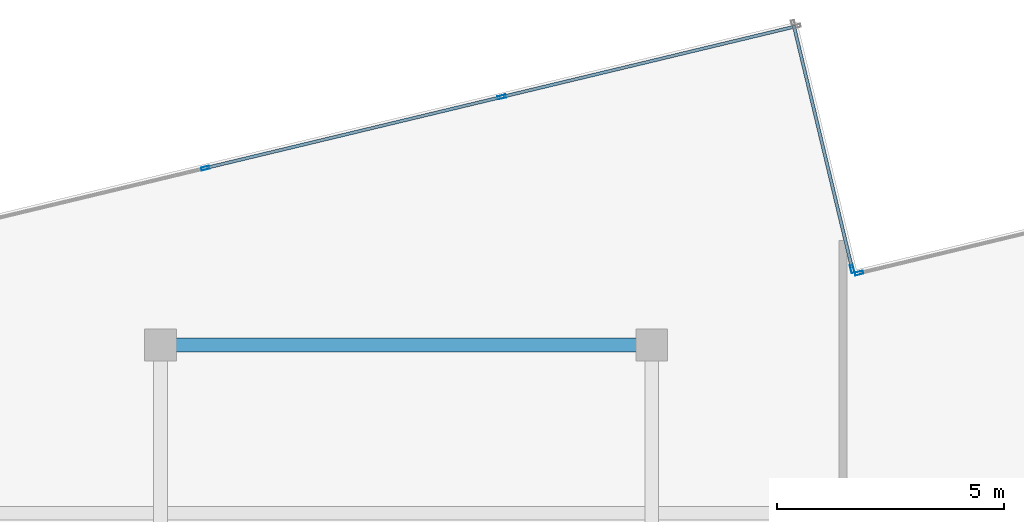
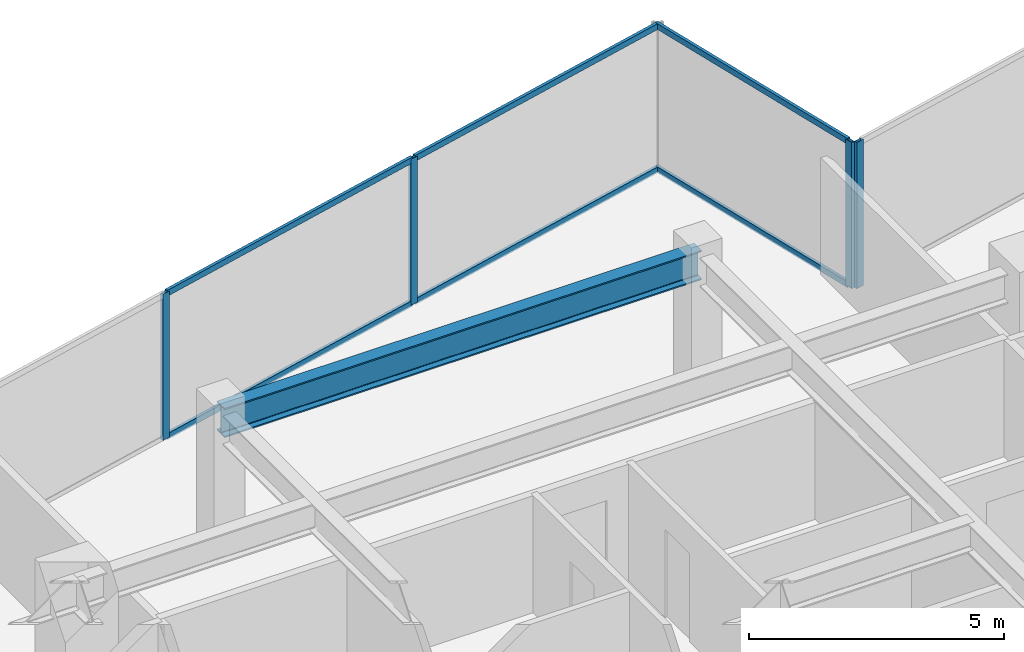
# One storey, part 14 of 19: 10 members, 1 beam, 3 elements without a shape of their own.
"""IFC4 building model written with IfcOpenShell, lengths in metres."""

from ifc_helpers import new_model, si_unit, direction, frame, origin, origin_2d, place, context, subcontext, project, spatial, hollow_rectangle, i_section, extrude, source, transform, mapped, material, material_profile, profile_set, type_object, type_shapes, element, aggregate, save


model = new_model("IFC4")

# Units and contexts
model_context = context("Model", 3, precision=1e-05, world=origin(), true_north=direction((0.0, 1.0)))
body_context = subcontext(model_context, "Body", "Model", "MODEL_VIEW")
ifc_project = project(units=[si_unit("LENGTHUNIT", "METRE"), si_unit("AREAUNIT", "SQUARE_METRE"), si_unit("VOLUMEUNIT", "CUBIC_METRE"), si_unit("PLANEANGLEUNIT", "RADIAN"), si_unit("MASSUNIT", "GRAM", prefix="KILO")], contexts=[model_context])

# Site, building, storey
site_placement = place(None, origin())
site = spatial("IfcSite", under=ifc_project, at=site_placement, CompositionType="ELEMENT")
building_placement = place(site_placement, origin())
building = spatial("IfcBuilding", under=site, at=building_placement, Name="Krantzveldt Concourse Tower", CompositionType="ELEMENT")
storey_placement = place(building_placement, frame((0.0, 0.0, 363.25)))
storey = spatial("IfcBuildingStorey", under=building, at=storey_placement, Name="L89", CompositionType="ELEMENT", Elevation=363.25)

# Beam
ifc_material_1 = material(Name="Steel S355J2", Category="steel")
ifc_material_profile_1 = material_profile(ifc_material_1, i_section(OverallWidth=0.300048828125, OverallDepth=0.699951171875, WebThickness=0.01708984375, FlangeThickness=0.031982421875, FilletRadius=0.027099609375, at=origin_2d()), Name="Steel S355J2", Category="steel")
ifc_profile_set_1 = profile_set([ifc_material_profile_1], Name="Steel S355J2 - HEB 700")
beam_type = type_object("IfcBeamType", Name="BM-B-HEB700", PredefinedType="BEAM", material=ifc_profile_set_1)
shared_shape_1 = source(origin(), body_context, "Body", "SweptSolid", [
    extrude(i_section(OverallWidth=0.300048828125, OverallDepth=0.699951171875, WebThickness=0.01708984375, FlangeThickness=0.031982421875, FilletRadius=0.027099609375, at=origin_2d()), origin(), (0.0, 0.0, 1.0), 10.7998046875),
])
type_shapes(beam_type, [shared_shape_1])
beam_placement = place(storey_placement, frame((30.60009765625, 41.199951171875, 3.14990234375), z_axis=(1.0, 0.0, 0.0), x_axis=(0.0, 1.0, 0.0)))
element("IfcBeam", 1, at=beam_placement, inside=storey, type_object=beam_type, Name="L89 Crown Girder CBG-89-RN", PredefinedType="BEAM", context=body_context, shape_type="MappedRepresentation", body=[
    mapped(shared_shape_1, transform((0.0, 0.0, 0.0), x_axis=(1.0, 0.0, 0.0), y_axis=(0.0, 1.0, 0.0), z_axis=(0.0, 0.0, 1.0), scale=1.0)),
])

# Curtain wall, members
ifc_material_2 = material(Name="Anodised aluminium 6063-T6", Category="aluminium")
curtain_wall_type = type_object("IfcCurtainWallType", Name="CW7", PredefinedType="USERDEFINED", material=ifc_material_2)
curtain_wall_1_placement = place(storey_placement, origin())
curtain_wall_1 = element("IfcCurtainWall", 2, at=curtain_wall_1_placement, inside=storey, type_object=curtain_wall_type, Name="CW-L89-BASE-01", ObjectType="UNITISED CURTAIN WALL", PredefinedType="USERDEFINED")
ifc_material_profile_2 = material_profile(ifc_material_2, hollow_rectangle(XDim=0.070068359375, YDim=0.139892578125, WallThickness=0.0048828125, at=origin_2d()), Name="Anodised aluminium 6063-T6", Category="aluminium")
ifc_profile_set_2 = profile_set([ifc_material_profile_2], Name="Anodised aluminium 6063-T6 - ALU-TRAN 140x70x5")
member_type_1 = type_object("IfcMemberType", Name="CW-TRN-150", PredefinedType="USERDEFINED", material=ifc_profile_set_2)
shared_shape_2 = source(origin(), body_context, "Body", "SweptSolid", [
    extrude(hollow_rectangle(XDim=0.070068359375, YDim=0.139892578125, WallThickness=0.0048828125, at=origin_2d()), origin(), (0.0, 0.0, 1.0), 6.6298828125),
])
member_1_placement = place(storey_placement, frame((38.06640625, 46.6435546875, 0.034912109375), z_axis=(-0.972365905625, -0.233462085953, 0.0), x_axis=(0.233462085953, -0.972365905625, 0.0)))
member_1 = element("IfcMember", 3, at=member_1_placement, type_object=member_type_1, Name="CW-CRN transom 2.1", ObjectType="TRANSOM", PredefinedType="USERDEFINED", context=body_context, shape_type="MappedRepresentation", body=[
    mapped(shared_shape_2, transform((0.0, 0.0, 0.0), x_axis=(1.0, 0.0, 0.0), y_axis=(0.0, 1.0, 0.0), z_axis=(0.0, 0.0, 1.0), scale=1.0)),
])
member_2_placement = place(storey_placement, frame((38.06640625, 46.6435546875, 3.465087890625), z_axis=(-0.972365905625, -0.233462085953, 0.0), x_axis=(0.233462085953, -0.972365905625, 0.0)))
member_2 = element("IfcMember", 4, at=member_2_placement, type_object=member_type_1, Name="CW-CRN transom 2.2", ObjectType="TRANSOM", PredefinedType="USERDEFINED", context=body_context, shape_type="MappedRepresentation", body=[
    mapped(shared_shape_2, transform((0.0, 0.0, 0.0), x_axis=(1.0, 0.0, 0.0), y_axis=(0.0, 1.0, 0.0), z_axis=(0.0, 0.0, 1.0), scale=1.0)),
])
shared_shape_3 = source(origin(), body_context, "Body", "SweptSolid", [
    extrude(hollow_rectangle(XDim=0.070068359375, YDim=0.139892578125, WallThickness=0.0048828125, at=origin_2d()), origin(), (0.0, 0.0, 1.0), 6.59521484375),
])
member_3_placement = place(storey_placement, frame((44.54736328125, 48.199462890625, 0.034912109375), z_axis=(-0.972362767007, -0.23347515786, 0.0), x_axis=(0.23347515786, -0.972362767007, 0.0)))
member_3 = element("IfcMember", 5, at=member_3_placement, type_object=member_type_1, Name="CW-CRN transom 1.1", ObjectType="TRANSOM", PredefinedType="USERDEFINED", context=body_context, shape_type="MappedRepresentation", body=[
    mapped(shared_shape_3, transform((0.0, 0.0, 0.0), x_axis=(1.0, 0.0, 0.0), y_axis=(0.0, 1.0, 0.0), z_axis=(0.0, 0.0, 1.0), scale=1.0)),
])
member_4_placement = place(storey_placement, frame((44.54736328125, 48.199462890625, 3.465087890625), z_axis=(-0.972362767007, -0.23347515786, 0.0), x_axis=(0.23347515786, -0.972362767007, 0.0)))
member_4 = element("IfcMember", 6, at=member_4_placement, type_object=member_type_1, Name="CW-CRN transom 1.2", ObjectType="TRANSOM", PredefinedType="USERDEFINED", context=body_context, shape_type="MappedRepresentation", body=[
    mapped(shared_shape_3, transform((0.0, 0.0, 0.0), x_axis=(1.0, 0.0, 0.0), y_axis=(0.0, 1.0, 0.0), z_axis=(0.0, 0.0, 1.0), scale=1.0)),
])

# Curtain wall, member
curtain_wall_2_placement = place(storey_placement, origin())
curtain_wall_2 = element("IfcCurtainWall", 7, at=curtain_wall_2_placement, inside=storey, type_object=curtain_wall_type, Name="CW-L89-BASE-00", ObjectType="UNITISED CURTAIN WALL", PredefinedType="USERDEFINED")
ifc_material_profile_3 = material_profile(ifc_material_2, hollow_rectangle(XDim=0.070068359375, YDim=0.179931640625, WallThickness=0.0048828125, at=origin_2d()), Name="Anodised aluminium 6063-T6", Category="aluminium")
ifc_profile_set_3 = profile_set([ifc_material_profile_3], Name="Anodised aluminium 6063-T6 - ALU-MULL 180x70x5")
member_type_2 = type_object("IfcMemberType", Name="CW-MUL-180", PredefinedType="MULLION", material=ifc_profile_set_3)
shared_shape_4 = source(origin(), body_context, "Body", "SweptSolid", [
    extrude(hollow_rectangle(XDim=0.070068359375, YDim=0.179931640625, WallThickness=0.0048828125, at=origin_2d()), origin(), (0.0, 0.0, 1.0), 3.5),
])
type_shapes(member_type_2, [shared_shape_4])
member_5_placement = place(storey_placement, frame((45.805908203125, 42.870849609375, 0.0), z_axis=(0.0, 0.0, 1.0), x_axis=(-0.97237016625, -0.233444339805, 0.0)))
member_5 = element("IfcMember", 8, at=member_5_placement, type_object=member_type_2, Name="CW-CRN mullion 1", PredefinedType="MULLION", context=body_context, shape_type="MappedRepresentation", body=[
    mapped(shared_shape_4, transform((0.0, 0.0, 0.0), x_axis=(1.0, 0.0, 0.0), y_axis=(0.0, 1.0, 0.0), z_axis=(0.0, 0.0, 1.0), scale=1.0)),
])

# Member
member_6_placement = place(storey_placement, frame((38.100341796875, 46.651611328125, 0.0), z_axis=(0.0, 0.0, 1.0), x_axis=(0.233445461796, -0.972369896884, 0.0)))
member_6 = element("IfcMember", 9, at=member_6_placement, type_object=member_type_2, Name="CW-CRN mullion 2", PredefinedType="MULLION", context=body_context, shape_type="MappedRepresentation", body=[
    mapped(shared_shape_4, transform((0.0, 0.0, 0.0), x_axis=(1.0, 0.0, 0.0), y_axis=(0.0, 1.0, 0.0), z_axis=(0.0, 0.0, 1.0), scale=1.0)),
])

member_7_placement = place(storey_placement, frame((31.58544921875, 45.08740234375, 0.0), z_axis=(0.0, 0.0, 1.0), x_axis=(0.233445461796, -0.972369896884, 0.0)))
member_7 = element("IfcMember", 10, at=member_7_placement, type_object=member_type_2, Name="CW-CRN mullion 3", PredefinedType="MULLION", context=body_context, shape_type="MappedRepresentation", body=[
    mapped(shared_shape_4, transform((0.0, 0.0, 0.0), x_axis=(1.0, 0.0, 0.0), y_axis=(0.0, 1.0, 0.0), z_axis=(0.0, 0.0, 1.0), scale=1.0)),
])

aggregate(curtain_wall_1, [member_6, member_7, member_3, member_4, member_1, member_2])

# Curtain wall, member
curtain_wall_3_placement = place(storey_placement, origin())
curtain_wall_3 = element("IfcCurtainWall", 11, at=curtain_wall_3_placement, inside=storey, type_object=curtain_wall_type, Name="CW-L89-BASE-11", ObjectType="UNITISED CURTAIN WALL", PredefinedType="USERDEFINED")
member_8_placement = place(storey_placement, frame((45.95654296875, 42.778564453125, 0.0), z_axis=(0.0, 0.0, 1.0), x_axis=(0.233446433541, -0.972369663588, 0.0)))
member_8 = element("IfcMember", 12, at=member_8_placement, type_object=member_type_2, Name="CW-CRN mullion 2", PredefinedType="MULLION", context=body_context, shape_type="MappedRepresentation", body=[
    mapped(shared_shape_4, transform((0.0, 0.0, 0.0), x_axis=(1.0, 0.0, 0.0), y_axis=(0.0, 1.0, 0.0), z_axis=(0.0, 0.0, 1.0), scale=1.0)),
])
aggregate(curtain_wall_3, [member_8])

# Member
shared_shape_5 = source(origin(), body_context, "Body", "SweptSolid", [
    extrude(hollow_rectangle(XDim=0.070068359375, YDim=0.139892578125, WallThickness=0.0048828125, at=origin_2d()), origin(), (0.0, 0.0, 1.0), 5.4599609375),
])
type_shapes(member_type_1, [shared_shape_2, shared_shape_3, shared_shape_5])
member_9_placement = place(storey_placement, frame((45.7978515625, 42.905029296875, 0.034912109375), z_axis=(-0.233455819396, 0.972367410185, 0.0), x_axis=(-0.972367410185, -0.233455819396, 0.0)))
member_9 = element("IfcMember", 13, at=member_9_placement, type_object=member_type_1, Name="CW-CRN transom 1.1", ObjectType="TRANSOM", PredefinedType="USERDEFINED", context=body_context, shape_type="MappedRepresentation", body=[
    mapped(shared_shape_5, transform((0.0, 0.0, 0.0), x_axis=(1.0, 0.0, 0.0), y_axis=(0.0, 1.0, 0.0), z_axis=(0.0, 0.0, 1.0), scale=1.0)),
])

member_10_placement = place(storey_placement, frame((45.7978515625, 42.905029296875, 3.465087890625), z_axis=(-0.233455819396, 0.972367410185, 0.0), x_axis=(-0.972367410185, -0.233455819396, 0.0)))
member_10 = element("IfcMember", 14, at=member_10_placement, type_object=member_type_1, Name="CW-CRN transom 1.2", ObjectType="TRANSOM", PredefinedType="USERDEFINED", context=body_context, shape_type="MappedRepresentation", body=[
    mapped(shared_shape_5, transform((0.0, 0.0, 0.0), x_axis=(1.0, 0.0, 0.0), y_axis=(0.0, 1.0, 0.0), z_axis=(0.0, 0.0, 1.0), scale=1.0)),
])

aggregate(curtain_wall_2, [member_5, member_9, member_10])

save(model, "model.ifc")
